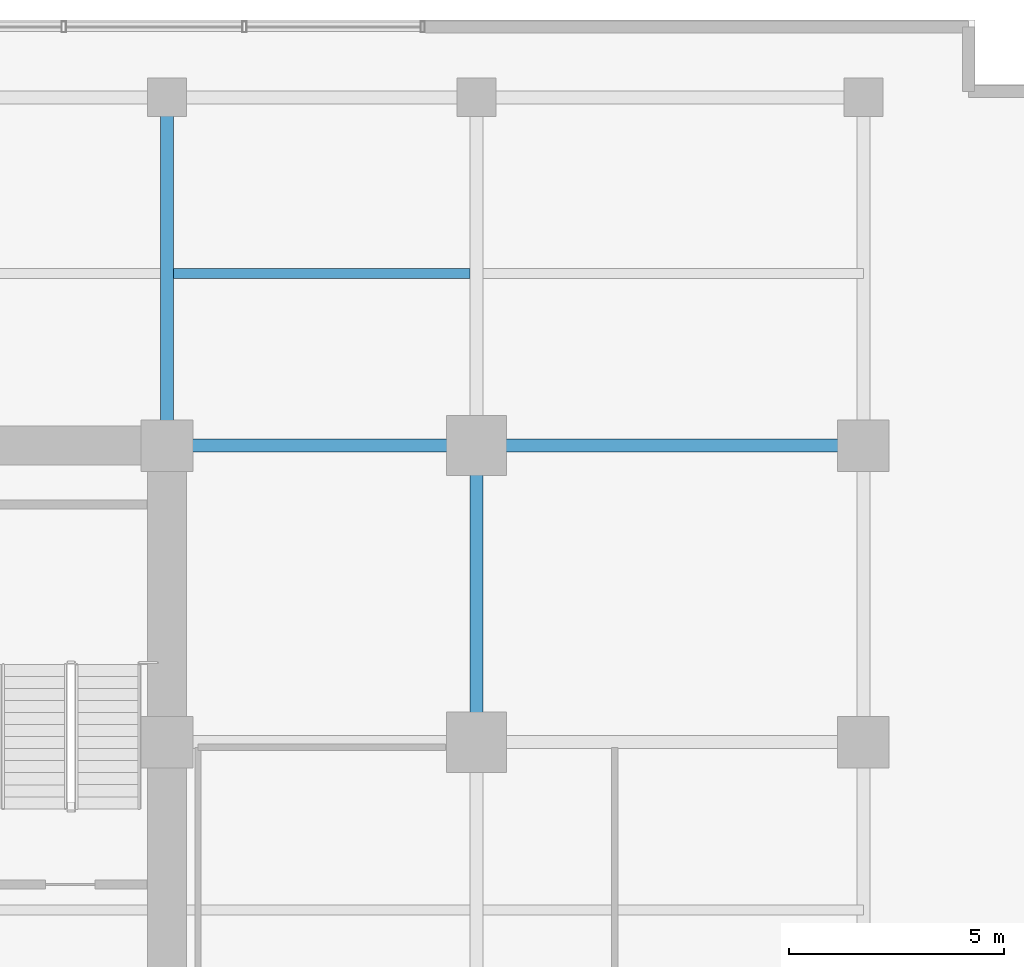
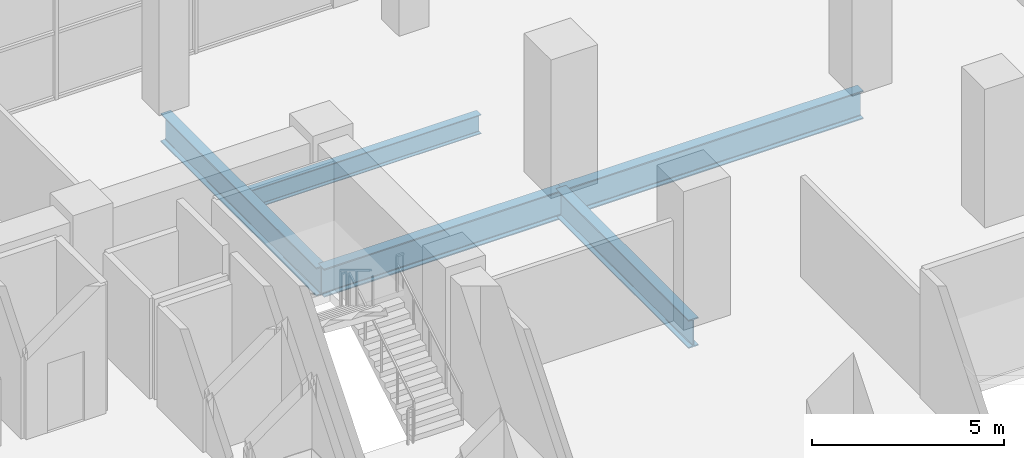
# One storey, part 10 of 23: 5 beams.
"""IFC4 building model written with IfcOpenShell, lengths in metres."""

from ifc_helpers import new_model, si_unit, direction, frame, origin, origin_2d, place, context, subcontext, project, spatial, i_section, extrude, material, material_profile, profile_set, type_object, element, save


model = new_model("IFC4")

# Units and contexts
model_context = context("Model", 3, precision=1e-05, world=origin(), true_north=direction((0.0, 1.0)))
body_context = subcontext(model_context, "Body", "Model", "MODEL_VIEW")
ifc_project = project(units=[si_unit("LENGTHUNIT", "METRE"), si_unit("AREAUNIT", "SQUARE_METRE"), si_unit("VOLUMEUNIT", "CUBIC_METRE"), si_unit("PLANEANGLEUNIT", "RADIAN"), si_unit("MASSUNIT", "GRAM", prefix="KILO")], contexts=[model_context])

# Site, building, storey
site_placement = place(None, origin())
site = spatial("IfcSite", under=ifc_project, at=site_placement, CompositionType="ELEMENT")
building_placement = place(site_placement, origin())
building = spatial("IfcBuilding", under=site, at=building_placement, Name="Zarnakvel Exchange Tower", CompositionType="ELEMENT")
storey_placement = place(building_placement, frame((0.0, 0.0, 13.800048828125)))
storey = spatial("IfcBuildingStorey", under=building, at=storey_placement, Name="L03", CompositionType="ELEMENT", Elevation=13.800048828125)

# Beams
ifc_material = material(Name="Steel S355", Category="steel")
ifc_material_profile_1 = material_profile(ifc_material, i_section(OverallWidth=0.230224609375, OverallDepth=0.6171875, WebThickness=0.01318359375, FlangeThickness=0.022216796875, FilletRadius=0.0126953125, at=origin_2d()))
ifc_profile_set_1 = profile_set([ifc_material_profile_1], Name="Steel S355")
beam_type_1 = type_object("IfcBeamType", Name="B-02", PredefinedType="JOIST", material=ifc_profile_set_1)
beam_1_placement = place(storey_placement, frame((14.550048828125, 17.5, -0.608642578125), z_axis=(1.0, 0.0, 0.0), x_axis=(0.0, 1.0, 0.0)))
element("IfcBeam", 1, at=beam_1_placement, inside=storey, type_object=beam_type_1, Name="L03 North Bay Secondary Floor Joist", PredefinedType="JOIST", context=body_context, shape_type="SweptSolid", body=[
    extrude(i_section(OverallWidth=0.230224609375, OverallDepth=0.6171875, WebThickness=0.01318359375, FlangeThickness=0.022216796875, FilletRadius=0.0126953125, at=origin_2d()), origin(), (0.0, 0.0, 1.0), 6.89990234375),
])
ifc_material_profile_2 = material_profile(ifc_material, i_section(OverallWidth=0.300048828125, OverallDepth=0.89990234375, WebThickness=0.0185546875, FlangeThickness=0.034912109375, FilletRadius=0.030029296875, at=origin_2d()))
ifc_profile_set_2 = profile_set([ifc_material_profile_2], Name="Steel S355")
beam_type_2 = type_object("IfcBeamType", Name="G-01", PredefinedType="BEAM", material=ifc_profile_set_2)
beam_2_placement = place(storey_placement, frame((14.39990234375, 13.5, -0.75), z_axis=(1.0, 0.0, 0.0), x_axis=(0.0, 1.0, 0.0)))
element("IfcBeam", 2, at=beam_2_placement, inside=storey, type_object=beam_type_2, Name="L03 Primary E-W Girder Y=+13.5", PredefinedType="BEAM", context=body_context, shape_type="SweptSolid", body=[
    extrude(i_section(OverallWidth=0.300048828125, OverallDepth=0.89990234375, WebThickness=0.0185546875, FlangeThickness=0.034912109375, FilletRadius=0.030029296875, at=origin_2d()), origin(), (0.0, 0.0, 1.0), 7.2001953125),
])
beam_3_placement = place(storey_placement, frame((21.60009765625, 13.5, -0.75), z_axis=(1.0, 0.0, 0.0), x_axis=(0.0, 1.0, 0.0)))
element("IfcBeam", 3, at=beam_3_placement, inside=storey, type_object=beam_type_2, Name="L03 Primary E-W Girder Y=+13.5", PredefinedType="BEAM", context=body_context, shape_type="SweptSolid", body=[
    extrude(i_section(OverallWidth=0.300048828125, OverallDepth=0.89990234375, WebThickness=0.0185546875, FlangeThickness=0.034912109375, FilletRadius=0.030029296875, at=origin_2d()), origin(), (0.0, 0.0, 1.0), 9.0),
])
beam_4_placement = place(storey_placement, frame((14.39990234375, 13.5, -0.75), z_axis=(0.0, 1.0, 0.0), x_axis=(-1.0, 0.0, 0.0)))
element("IfcBeam", 4, at=beam_4_placement, inside=storey, type_object=beam_type_2, Name="L03 Primary N-S Girder X=+14.4", PredefinedType="BEAM", context=body_context, shape_type="SweptSolid", body=[
    extrude(i_section(OverallWidth=0.300048828125, OverallDepth=0.89990234375, WebThickness=0.0185546875, FlangeThickness=0.034912109375, FilletRadius=0.030029296875, at=origin_2d()), origin(), (0.0, 0.0, 1.0), 8.10009765625),
])
beam_5_placement = place(storey_placement, frame((21.60009765625, 6.60009765625, -0.75), z_axis=(0.0, 1.0, 0.0), x_axis=(-1.0, 0.0, 0.0)))
element("IfcBeam", 5, at=beam_5_placement, inside=storey, type_object=beam_type_2, Name="L03 Primary N-S Girder X=+21.6", PredefinedType="BEAM", context=body_context, shape_type="SweptSolid", body=[
    extrude(i_section(OverallWidth=0.300048828125, OverallDepth=0.89990234375, WebThickness=0.0185546875, FlangeThickness=0.034912109375, FilletRadius=0.030029296875, at=origin_2d()), origin(), (0.0, 0.0, 1.0), 6.89990234375),
])

save(model, "model.ifc")
